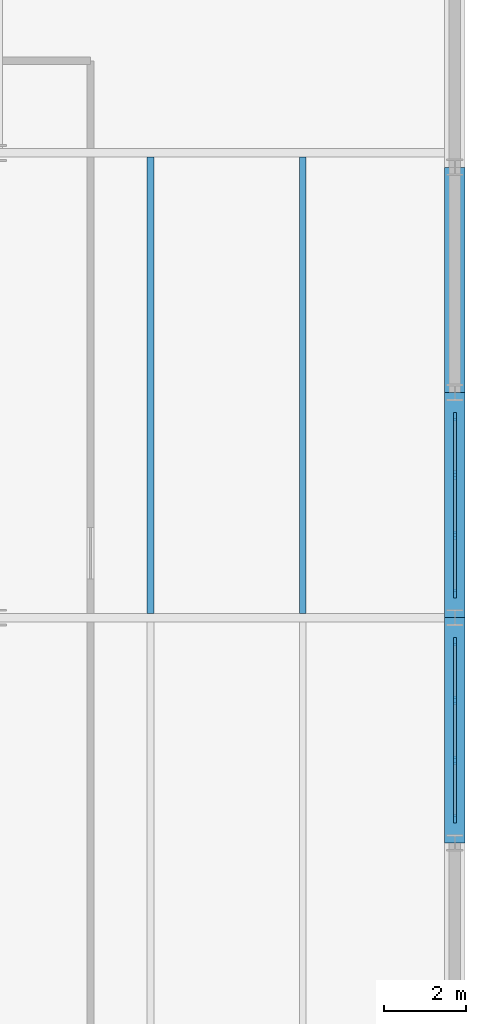
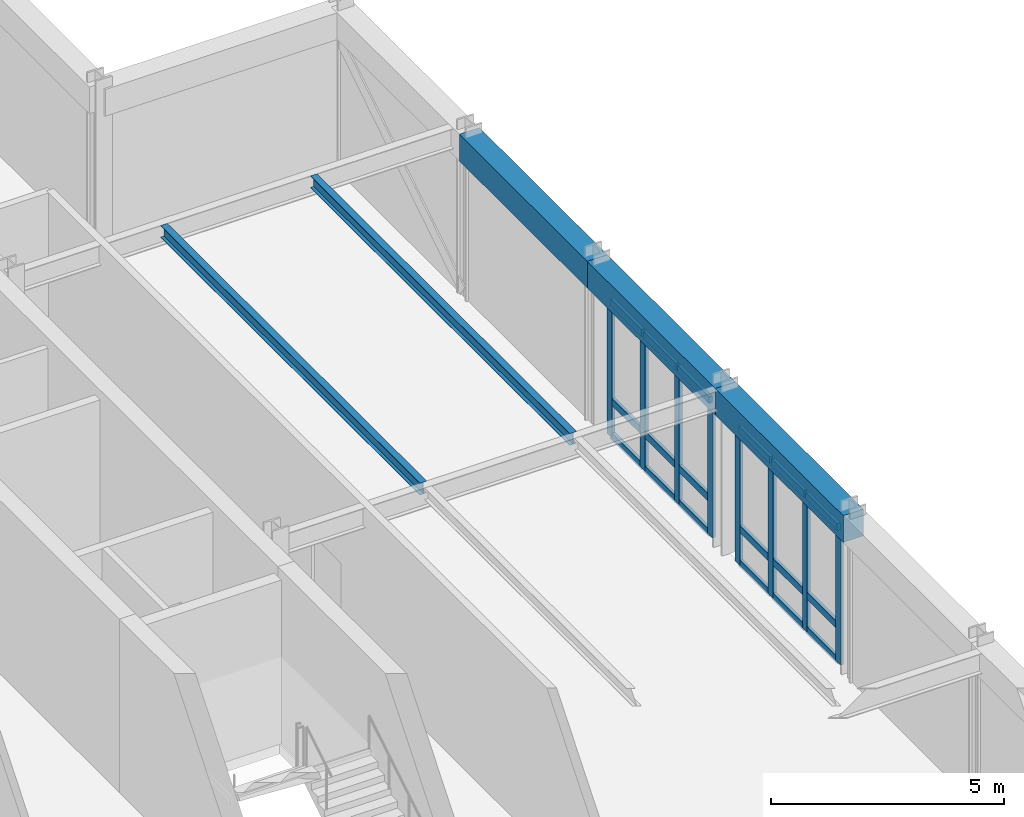
# One storey, part 4 of 9: 26 members, 5 beams, 2 elements without a shape of their own.
"""IFC4 building model written with IfcOpenShell, lengths in metres."""

from ifc_helpers import new_model, si_unit, direction, frame, origin, origin_2d, place, context, subcontext, project, spatial, rectangle, i_section, extrude, material, layer, layer_set, material_profile, profile_set, type_object, element, aggregate, save


model = new_model("IFC4")

# Units and contexts
model_context = context("Model", 3, precision=1e-05, world=origin(), true_north=direction((0.0, 1.0)))
body_context = subcontext(model_context, "Body", "Model", "MODEL_VIEW")
ifc_project = project(units=[si_unit("LENGTHUNIT", "METRE"), si_unit("AREAUNIT", "SQUARE_METRE"), si_unit("VOLUMEUNIT", "CUBIC_METRE"), si_unit("PLANEANGLEUNIT", "RADIAN"), si_unit("MASSUNIT", "GRAM", prefix="KILO")], contexts=[model_context])

# Site, building, storey
site_placement = place(None, origin())
site = spatial("IfcSite", under=ifc_project, at=site_placement, CompositionType="ELEMENT")
building_placement = place(site_placement, origin())
building = spatial("IfcBuilding", under=site, at=building_placement, Name="Nhamokura Convention Tower", CompositionType="ELEMENT")
storey_placement = place(building_placement, frame((0.0, 0.0, 317.800048828125)))
storey = spatial("IfcBuildingStorey", under=building, at=storey_placement, Name="L78", CompositionType="ELEMENT", Elevation=317.800048828125)

# Curtain wall, members
ifc_material_1 = material(Name="Anodised bronze aluminium AA6063-T6", Category="aluminium")
ifc_layer = layer(ifc_material_1, 0.2099609375)
ifc_layer_set = layer_set([ifc_layer], Name="CWSystem_SlantedCrown")
curtain_wall_type = type_object("IfcCurtainWallType", Name="CWSystem_SlantedCrown", PredefinedType="NOTDEFINED", material=ifc_layer_set)
curtain_wall_1_placement = place(storey_placement, origin())
curtain_wall_1 = element("IfcCurtainWall", 1, at=curtain_wall_1_placement, inside=storey, type_object=curtain_wall_type, Name="L78 Curtain Wall ENV-L78-CRCW-E2", PredefinedType="NOTDEFINED")
ifc_material_2 = material(Name="Anodised bronze aluminium AA6063-T6", Category="aluminium")
ifc_material_profile_1 = material_profile(ifc_material_2, rectangle(XDim=0.080078125, YDim=0.2099609375, at=origin_2d()))
ifc_profile_set_1 = profile_set([ifc_material_profile_1], Name="Anodised bronze aluminium AA6063-T6")
member_type_1 = type_object("IfcMemberType", Name="CWMullion_4", PredefinedType="MULLION", material=ifc_profile_set_1)
member_1_placement = place(storey_placement, frame((54.5, 31.409912109375, 0.0), z_axis=(0.0, 0.0, 1.0), x_axis=(1.0, 0.0, 0.0)))
member_1 = element("IfcMember", 2, at=member_1_placement, type_object=member_type_1, Name="CW-07 mullion 1", PredefinedType="MULLION", context=body_context, shape_type="SweptSolid", body=[
    extrude(rectangle(XDim=0.080078125, YDim=0.2099609375, at=origin_2d()), origin(), (0.0, 0.0, 1.0), 3.570068359375),
])
member_2_placement = place(storey_placement, frame((54.5, 29.9833984375, 0.0), z_axis=(0.0, 0.0, 1.0), x_axis=(1.0, 0.0, 0.0)))
member_2 = element("IfcMember", 3, at=member_2_placement, type_object=member_type_1, Name="CW-07 mullion 2", PredefinedType="MULLION", context=body_context, shape_type="SweptSolid", body=[
    extrude(rectangle(XDim=0.080078125, YDim=0.2099609375, at=origin_2d()), origin(), (0.0, 0.0, 1.0), 3.570068359375),
])
member_3_placement = place(storey_placement, frame((54.5, 28.5166015625, 0.0), z_axis=(0.0, 0.0, 1.0), x_axis=(1.0, 0.0, 0.0)))
member_3 = element("IfcMember", 4, at=member_3_placement, type_object=member_type_1, Name="CW-07 mullion 3", PredefinedType="MULLION", context=body_context, shape_type="SweptSolid", body=[
    extrude(rectangle(XDim=0.080078125, YDim=0.2099609375, at=origin_2d()), origin(), (0.0, 0.0, 1.0), 3.570068359375),
])
member_4_placement = place(storey_placement, frame((54.5, 27.090087890625, 0.0), z_axis=(0.0, 0.0, 1.0), x_axis=(1.0, 0.0, 0.0)))
member_4 = element("IfcMember", 5, at=member_4_placement, type_object=member_type_1, Name="CW-07 mullion 4", PredefinedType="MULLION", context=body_context, shape_type="SweptSolid", body=[
    extrude(rectangle(XDim=0.080078125, YDim=0.2099609375, at=origin_2d()), origin(), (0.0, 0.0, 1.0), 3.570068359375),
])

curtain_wall_2_placement = place(storey_placement, origin())
curtain_wall_2 = element("IfcCurtainWall", 6, at=curtain_wall_2_placement, inside=storey, type_object=curtain_wall_type, Name="L78 Curtain Wall ENV-L78-CRCW-E3", PredefinedType="NOTDEFINED")
member_5_placement = place(storey_placement, frame((54.5, 36.909912109375, 0.0), z_axis=(0.0, 0.0, 1.0), x_axis=(1.0, 0.0, 0.0)))
member_5 = element("IfcMember", 7, at=member_5_placement, type_object=member_type_1, Name="CW-07 mullion 1", PredefinedType="MULLION", context=body_context, shape_type="SweptSolid", body=[
    extrude(rectangle(XDim=0.080078125, YDim=0.2099609375, at=origin_2d()), origin(), (0.0, 0.0, 1.0), 3.570068359375),
])
member_6_placement = place(storey_placement, frame((54.5, 35.4833984375, 0.0), z_axis=(0.0, 0.0, 1.0), x_axis=(1.0, 0.0, 0.0)))
member_6 = element("IfcMember", 8, at=member_6_placement, type_object=member_type_1, Name="CW-07 mullion 2", PredefinedType="MULLION", context=body_context, shape_type="SweptSolid", body=[
    extrude(rectangle(XDim=0.080078125, YDim=0.2099609375, at=origin_2d()), origin(), (0.0, 0.0, 1.0), 3.570068359375),
])
member_7_placement = place(storey_placement, frame((54.5, 34.0166015625, 0.0), z_axis=(0.0, 0.0, 1.0), x_axis=(1.0, 0.0, 0.0)))
member_7 = element("IfcMember", 9, at=member_7_placement, type_object=member_type_1, Name="CW-07 mullion 3", PredefinedType="MULLION", context=body_context, shape_type="SweptSolid", body=[
    extrude(rectangle(XDim=0.080078125, YDim=0.2099609375, at=origin_2d()), origin(), (0.0, 0.0, 1.0), 3.570068359375),
])
member_8_placement = place(storey_placement, frame((54.5, 32.590087890625, 0.0), z_axis=(0.0, 0.0, 1.0), x_axis=(1.0, 0.0, 0.0)))
member_8 = element("IfcMember", 10, at=member_8_placement, type_object=member_type_1, Name="CW-07 mullion 4", PredefinedType="MULLION", context=body_context, shape_type="SweptSolid", body=[
    extrude(rectangle(XDim=0.080078125, YDim=0.2099609375, at=origin_2d()), origin(), (0.0, 0.0, 1.0), 3.570068359375),
])

# Member
ifc_material_3 = material(Name="Anodised bronze aluminium AA6063-T6", Category="aluminium")
ifc_material_profile_2 = material_profile(ifc_material_3, rectangle(XDim=0.080078125, YDim=0.18505859375, at=origin_2d()))
ifc_profile_set_2 = profile_set([ifc_material_profile_2], Name="Anodised bronze aluminium AA6063-T6")
member_type_2 = type_object("IfcMemberType", Name="CWTransom_4", PredefinedType="USERDEFINED", material=ifc_profile_set_2)
member_9_placement = place(storey_placement, frame((54.5, 31.3701171875, 0.0400390625), z_axis=(0.0, -1.0, 0.0), x_axis=(1.0, 0.0, 0.0)))
member_9 = element("IfcMember", 11, at=member_9_placement, type_object=member_type_2, Name="CW-07 transom 1.1", ObjectType="TRANSOM", PredefinedType="USERDEFINED", context=body_context, shape_type="SweptSolid", body=[
    extrude(rectangle(XDim=0.080078125, YDim=0.18505859375, at=origin_2d()), origin(), (0.0, 0.0, 1.0), 1.3466796875),
])

member_10_placement = place(storey_placement, frame((54.5, 31.3701171875, 0.949951171875), z_axis=(0.0, -1.0, 0.0), x_axis=(1.0, 0.0, 0.0)))
member_10 = element("IfcMember", 12, at=member_10_placement, type_object=member_type_2, Name="CW-07 transom 1.2", ObjectType="TRANSOM", PredefinedType="USERDEFINED", context=body_context, shape_type="SweptSolid", body=[
    extrude(rectangle(XDim=0.080078125, YDim=0.18505859375, at=origin_2d()), origin(), (0.0, 0.0, 1.0), 1.3466796875),
])

member_11_placement = place(storey_placement, frame((54.5, 31.3701171875, 3.530029296875), z_axis=(0.0, -1.0, 0.0), x_axis=(1.0, 0.0, 0.0)))
member_11 = element("IfcMember", 13, at=member_11_placement, type_object=member_type_2, Name="CW-07 transom 1.3", ObjectType="TRANSOM", PredefinedType="USERDEFINED", context=body_context, shape_type="SweptSolid", body=[
    extrude(rectangle(XDim=0.080078125, YDim=0.18505859375, at=origin_2d()), origin(), (0.0, 0.0, 1.0), 1.3466796875),
])

member_12_placement = place(storey_placement, frame((54.5, 29.943359375, 0.0400390625), z_axis=(0.0, -1.0, 0.0), x_axis=(1.0, 0.0, 0.0)))
member_12 = element("IfcMember", 14, at=member_12_placement, type_object=member_type_2, Name="CW-07 transom 2.1", ObjectType="TRANSOM", PredefinedType="USERDEFINED", context=body_context, shape_type="SweptSolid", body=[
    extrude(rectangle(XDim=0.080078125, YDim=0.18505859375, at=origin_2d()), origin(), (0.0, 0.0, 1.0), 1.38671875),
])

member_13_placement = place(storey_placement, frame((54.5, 29.943359375, 0.949951171875), z_axis=(0.0, -1.0, 0.0), x_axis=(1.0, 0.0, 0.0)))
member_13 = element("IfcMember", 15, at=member_13_placement, type_object=member_type_2, Name="CW-07 transom 2.2", ObjectType="TRANSOM", PredefinedType="USERDEFINED", context=body_context, shape_type="SweptSolid", body=[
    extrude(rectangle(XDim=0.080078125, YDim=0.18505859375, at=origin_2d()), origin(), (0.0, 0.0, 1.0), 1.38671875),
])

member_14_placement = place(storey_placement, frame((54.5, 29.943359375, 3.530029296875), z_axis=(0.0, -1.0, 0.0), x_axis=(1.0, 0.0, 0.0)))
member_14 = element("IfcMember", 16, at=member_14_placement, type_object=member_type_2, Name="CW-07 transom 2.3", ObjectType="TRANSOM", PredefinedType="USERDEFINED", context=body_context, shape_type="SweptSolid", body=[
    extrude(rectangle(XDim=0.080078125, YDim=0.18505859375, at=origin_2d()), origin(), (0.0, 0.0, 1.0), 1.38671875),
])

member_15_placement = place(storey_placement, frame((54.5, 28.4765625, 0.0400390625), z_axis=(0.0, -1.0, 0.0), x_axis=(1.0, 0.0, 0.0)))
member_15 = element("IfcMember", 17, at=member_15_placement, type_object=member_type_2, Name="CW-07 transom 3.1", ObjectType="TRANSOM", PredefinedType="USERDEFINED", context=body_context, shape_type="SweptSolid", body=[
    extrude(rectangle(XDim=0.080078125, YDim=0.18505859375, at=origin_2d()), origin(), (0.0, 0.0, 1.0), 1.3466796875),
])

member_16_placement = place(storey_placement, frame((54.5, 28.4765625, 0.949951171875), z_axis=(0.0, -1.0, 0.0), x_axis=(1.0, 0.0, 0.0)))
member_16 = element("IfcMember", 18, at=member_16_placement, type_object=member_type_2, Name="CW-07 transom 3.2", ObjectType="TRANSOM", PredefinedType="USERDEFINED", context=body_context, shape_type="SweptSolid", body=[
    extrude(rectangle(XDim=0.080078125, YDim=0.18505859375, at=origin_2d()), origin(), (0.0, 0.0, 1.0), 1.3466796875),
])

member_17_placement = place(storey_placement, frame((54.5, 28.4765625, 3.530029296875), z_axis=(0.0, -1.0, 0.0), x_axis=(1.0, 0.0, 0.0)))
member_17 = element("IfcMember", 19, at=member_17_placement, type_object=member_type_2, Name="CW-07 transom 3.3", ObjectType="TRANSOM", PredefinedType="USERDEFINED", context=body_context, shape_type="SweptSolid", body=[
    extrude(rectangle(XDim=0.080078125, YDim=0.18505859375, at=origin_2d()), origin(), (0.0, 0.0, 1.0), 1.3466796875),
])

aggregate(curtain_wall_1, [member_1, member_2, member_3, member_4, member_9, member_10, member_11, member_12, member_13, member_14, member_15, member_16, member_17])

member_18_placement = place(storey_placement, frame((54.5, 36.8701171875, 0.0400390625), z_axis=(0.0, -1.0, 0.0), x_axis=(1.0, 0.0, 0.0)))
member_18 = element("IfcMember", 20, at=member_18_placement, type_object=member_type_2, Name="CW-07 transom 1.1", ObjectType="TRANSOM", PredefinedType="USERDEFINED", context=body_context, shape_type="SweptSolid", body=[
    extrude(rectangle(XDim=0.080078125, YDim=0.18505859375, at=origin_2d()), origin(), (0.0, 0.0, 1.0), 1.3466796875),
])

member_19_placement = place(storey_placement, frame((54.5, 36.8701171875, 0.949951171875), z_axis=(0.0, -1.0, 0.0), x_axis=(1.0, 0.0, 0.0)))
member_19 = element("IfcMember", 21, at=member_19_placement, type_object=member_type_2, Name="CW-07 transom 1.2", ObjectType="TRANSOM", PredefinedType="USERDEFINED", context=body_context, shape_type="SweptSolid", body=[
    extrude(rectangle(XDim=0.080078125, YDim=0.18505859375, at=origin_2d()), origin(), (0.0, 0.0, 1.0), 1.3466796875),
])

member_20_placement = place(storey_placement, frame((54.5, 36.8701171875, 3.530029296875), z_axis=(0.0, -1.0, 0.0), x_axis=(1.0, 0.0, 0.0)))
member_20 = element("IfcMember", 22, at=member_20_placement, type_object=member_type_2, Name="CW-07 transom 1.3", ObjectType="TRANSOM", PredefinedType="USERDEFINED", context=body_context, shape_type="SweptSolid", body=[
    extrude(rectangle(XDim=0.080078125, YDim=0.18505859375, at=origin_2d()), origin(), (0.0, 0.0, 1.0), 1.3466796875),
])

member_21_placement = place(storey_placement, frame((54.5, 35.443359375, 0.0400390625), z_axis=(0.0, -1.0, 0.0), x_axis=(1.0, 0.0, 0.0)))
member_21 = element("IfcMember", 23, at=member_21_placement, type_object=member_type_2, Name="CW-07 transom 2.1", ObjectType="TRANSOM", PredefinedType="USERDEFINED", context=body_context, shape_type="SweptSolid", body=[
    extrude(rectangle(XDim=0.080078125, YDim=0.18505859375, at=origin_2d()), origin(), (0.0, 0.0, 1.0), 1.38671875),
])

member_22_placement = place(storey_placement, frame((54.5, 35.443359375, 0.949951171875), z_axis=(0.0, -1.0, 0.0), x_axis=(1.0, 0.0, 0.0)))
member_22 = element("IfcMember", 24, at=member_22_placement, type_object=member_type_2, Name="CW-07 transom 2.2", ObjectType="TRANSOM", PredefinedType="USERDEFINED", context=body_context, shape_type="SweptSolid", body=[
    extrude(rectangle(XDim=0.080078125, YDim=0.18505859375, at=origin_2d()), origin(), (0.0, 0.0, 1.0), 1.38671875),
])

member_23_placement = place(storey_placement, frame((54.5, 35.443359375, 3.530029296875), z_axis=(0.0, -1.0, 0.0), x_axis=(1.0, 0.0, 0.0)))
member_23 = element("IfcMember", 25, at=member_23_placement, type_object=member_type_2, Name="CW-07 transom 2.3", ObjectType="TRANSOM", PredefinedType="USERDEFINED", context=body_context, shape_type="SweptSolid", body=[
    extrude(rectangle(XDim=0.080078125, YDim=0.18505859375, at=origin_2d()), origin(), (0.0, 0.0, 1.0), 1.38671875),
])

member_24_placement = place(storey_placement, frame((54.5, 33.9765625, 0.0400390625), z_axis=(0.0, -1.0, 0.0), x_axis=(1.0, 0.0, 0.0)))
member_24 = element("IfcMember", 26, at=member_24_placement, type_object=member_type_2, Name="CW-07 transom 3.1", ObjectType="TRANSOM", PredefinedType="USERDEFINED", context=body_context, shape_type="SweptSolid", body=[
    extrude(rectangle(XDim=0.080078125, YDim=0.18505859375, at=origin_2d()), origin(), (0.0, 0.0, 1.0), 1.3466796875),
])

member_25_placement = place(storey_placement, frame((54.5, 33.9765625, 0.949951171875), z_axis=(0.0, -1.0, 0.0), x_axis=(1.0, 0.0, 0.0)))
member_25 = element("IfcMember", 27, at=member_25_placement, type_object=member_type_2, Name="CW-07 transom 3.2", ObjectType="TRANSOM", PredefinedType="USERDEFINED", context=body_context, shape_type="SweptSolid", body=[
    extrude(rectangle(XDim=0.080078125, YDim=0.18505859375, at=origin_2d()), origin(), (0.0, 0.0, 1.0), 1.3466796875),
])

member_26_placement = place(storey_placement, frame((54.5, 33.9765625, 3.530029296875), z_axis=(0.0, -1.0, 0.0), x_axis=(1.0, 0.0, 0.0)))
member_26 = element("IfcMember", 28, at=member_26_placement, type_object=member_type_2, Name="CW-07 transom 3.3", ObjectType="TRANSOM", PredefinedType="USERDEFINED", context=body_context, shape_type="SweptSolid", body=[
    extrude(rectangle(XDim=0.080078125, YDim=0.18505859375, at=origin_2d()), origin(), (0.0, 0.0, 1.0), 1.3466796875),
])

aggregate(curtain_wall_2, [member_5, member_6, member_7, member_8, member_18, member_19, member_20, member_21, member_22, member_23, member_24, member_25, member_26])

# Beams
ifc_material_4 = material(Name="Steel ASTM A992 Gr 50", Category="steel")
ifc_material_profile_3 = material_profile(ifc_material_4, i_section(OverallWidth=0.166015625, OverallDepth=0.31298828125, WebThickness=0.006591796875, FlangeThickness=0.01123046875, at=origin_2d()))
ifc_profile_set_3 = profile_set([ifc_material_profile_3], Name="Steel ASTM A992 Gr 50")
beam_type_1 = type_object("IfcBeamType", Name="FloorJoist_W310X45", PredefinedType="JOIST", material=ifc_profile_set_3)
for number, where, z_axis, x_axis, name in (
    (29, (47.066650390625, 32.1025390625, 4.133544921875), (0.0, 1.0, 0.0), (-1.0, 0.0, 0.0), "L78 Composite Floor Joist E1B"),
    (30, (50.783203125, 32.1025390625, 4.133544921875), (0.0, 1.0, 0.0), (-1.0, 0.0, 0.0), "L78 Composite Floor Joist E2B"),
):
    element("IfcBeam", number, at=place(storey_placement, frame(where, z_axis=z_axis, x_axis=x_axis)), inside=storey, type_object=beam_type_1, Name=name, PredefinedType="JOIST", context=body_context, shape_type="SweptSolid", body=[
        extrude(i_section(OverallWidth=0.166015625, OverallDepth=0.31298828125, WebThickness=0.006591796875, FlangeThickness=0.01123046875, at=origin_2d()), origin(), (0.0, 0.0, 1.0), 11.14501953125),
    ])
ifc_material_5 = material(Name="Concrete C50/60", Category="concrete")
ifc_material_profile_4 = material_profile(ifc_material_5, rectangle(XDim=0.5, YDim=0.699951171875, at=origin_2d()))
ifc_profile_set_4 = profile_set([ifc_material_profile_4], Name="Concrete C50/60")
beam_type_2 = type_object("IfcBeamType", Name="TubeSpandrel_700", PredefinedType="SPANDREL", material=ifc_profile_set_4)
for number, where, z_axis, x_axis, name in (
    (31, (54.5, 26.5, 3.93994140625), (0.0, 1.0, 0.0), (-1.0, 0.0, 0.0), "L78 Perimeter Spandrel EAST 3"),
    (32, (54.5, 32.0, 3.93994140625), (0.0, 1.0, 0.0), (-1.0, 0.0, 0.0), "L78 Perimeter Spandrel EAST 4"),
    (33, (54.5, 37.5, 3.93994140625), (0.0, 1.0, 0.0), (-1.0, 0.0, 0.0), "L78 Perimeter Spandrel EAST 5"),
):
    element("IfcBeam", number, at=place(storey_placement, frame(where, z_axis=z_axis, x_axis=x_axis)), inside=storey, type_object=beam_type_2, Name=name, PredefinedType="SPANDREL", context=body_context, shape_type="SweptSolid", body=[
        extrude(rectangle(XDim=0.5, YDim=0.699951171875, at=origin_2d()), origin(), (0.0, 0.0, 1.0), 5.5),
    ])

save(model, "model.ifc")
